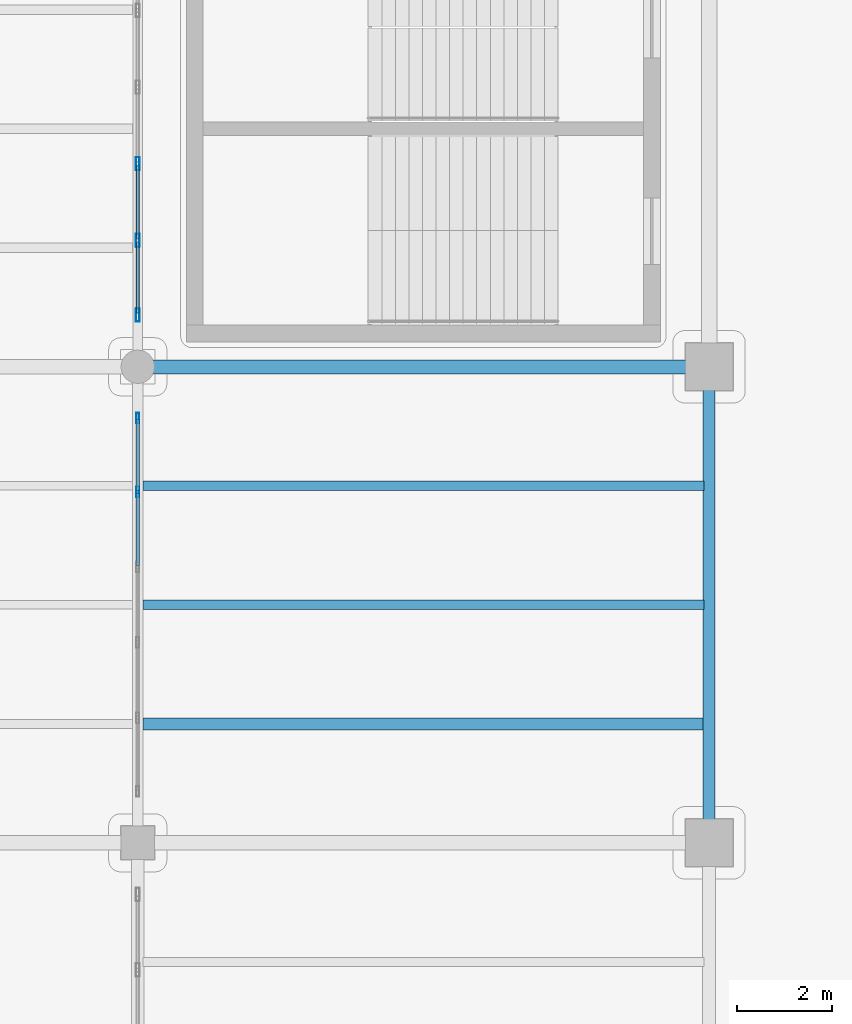
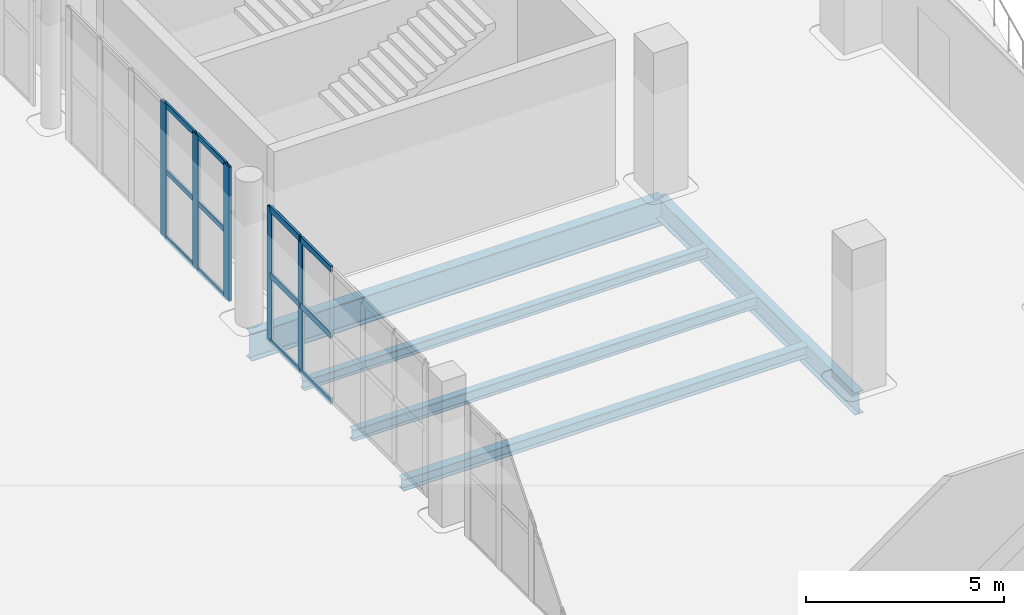
# One storey, part 37 of 108: 17 members, 5 beams, 2 elements without a shape of their own.
"""IFC4 building model written with IfcOpenShell, lengths in metres."""

import ifcopenshell
import ifcopenshell.guid

model = None  # the IFC model being written
_history = None  # IfcOwnerHistory: only IFC2X3 demands one
_inside = {}  # id of a spatial element -> (the spatial element, [elements in it])
_under = {}  # id of a project, library or spatial element -> (it, [spatial elements below it])
_declared = {}  # id of a project -> (the project, [libraries it declares])
_typed = {}  # id of a type object -> (the type object, [elements of that type])
_made_of = {}  # id of a material, layer set ... -> (it, [elements and type objects made of it])


def new_model(schema):
    """Start an empty IFC model of exactly this schema.

    Asked for "IFC4X3", IfcOpenShell would pick the latest addendum, in which some entities
    have other attributes; the version numbers below select the first issue.
    IFC2X3 requires an IfcOwnerHistory on every rooted entity: one is made here for all.
    """
    global model, _history
    if schema == "IFC4X3":
        model = ifcopenshell.file(schema_version=(4, 3, 0, 0))
    else:
        model = ifcopenshell.file(schema=schema)
    _inside.clear()
    _under.clear()
    _declared.clear()
    _typed.clear()
    _made_of.clear()
    _history = None
    if model.schema == "IFC2X3":
        org = make("IfcOrganization", Name="unknown")
        user = make(
            "IfcPersonAndOrganization",
            ThePerson=make("IfcPerson", FamilyName="unknown"),
            TheOrganization=org,
        )
        app = make(
            "IfcApplication",
            ApplicationDeveloper=org,
            Version="unknown",
            ApplicationFullName="unknown",
            ApplicationIdentifier="unknown",
        )
        _history = make(
            "IfcOwnerHistory",
            OwningUser=user,
            OwningApplication=app,
            ChangeAction="ADDED",
            CreationDate=0,
        )
    return model


def make(cls, **values):
    """One entity of the class cls with the attributes given. An attribute that is None is left unset."""
    return model.create_entity(
        cls, **{name: value for name, value in values.items() if value is not None}
    )


def rooted(cls, **values):
    """An entity with a GlobalId (a new one), such as an element, a storey or a relation."""
    return make(cls, GlobalId=ifcopenshell.guid.new(), OwnerHistory=_history, **values)


def si_unit(unit_type, name, prefix=None):
    """IfcSIUnit, for example si_unit("LENGTHUNIT", "METRE", prefix="MILLI")."""
    return make("IfcSIUnit", UnitType=unit_type, Prefix=prefix, Name=name)


def assignment(units):
    """IfcUnitAssignment: the units of a project."""
    return None if units is None else make("IfcUnitAssignment", Units=units)


def point(xyz):
    """IfcCartesianPoint."""
    return None if xyz is None else make("IfcCartesianPoint", Coordinates=xyz)


def direction(xyz):
    """IfcDirection."""
    return None if xyz is None else make("IfcDirection", DirectionRatios=xyz)


def frame(location, z_axis=None, x_axis=None):
    """IfcAxis2Placement3D, a coordinate frame: its origin and axes. An axis left out is left unset."""
    return make(
        "IfcAxis2Placement3D",
        Location=point(location),
        Axis=direction(z_axis),
        RefDirection=direction(x_axis),
    )


def frame_2d(location, x_axis=None):
    """IfcAxis2Placement2D, a coordinate frame in the plane: its origin and x axis."""
    return make(
        "IfcAxis2Placement2D", Location=point(location), RefDirection=direction(x_axis)
    )


def origin():
    """The frame at (0, 0, 0) with its axes left unset."""
    return frame((0.0, 0.0, 0.0))


def origin_2d():
    """The frame at (0, 0) in the plane with its x axis left unset."""
    return frame_2d((0.0, 0.0))


def place(relative_to, where):
    """IfcLocalPlacement: puts the frame where relative to a parent placement (None: the world)."""
    return make(
        "IfcLocalPlacement", PlacementRelTo=relative_to, RelativePlacement=where
    )


def context(
    kind, dimensions, precision=None, world=None, true_north=None, identifier=None
):
    """IfcGeometricRepresentationContext, for example the 3D "Model" context."""
    return make(
        "IfcGeometricRepresentationContext",
        ContextIdentifier=identifier,
        ContextType=kind,
        CoordinateSpaceDimension=dimensions,
        Precision=precision,
        WorldCoordinateSystem=world,
        TrueNorth=true_north,
    )


def subcontext(parent, identifier, kind, view, scale=None):
    """IfcGeometricRepresentationSubContext, for example "Body" below "Model"."""
    return make(
        "IfcGeometricRepresentationSubContext",
        ContextIdentifier=identifier,
        ContextType=kind,
        ParentContext=parent,
        TargetScale=scale,
        TargetView=view,
    )


def project(units=None, contexts=None):
    """IfcProject with its units and contexts."""
    return rooted(
        "IfcProject",
        Name="project",
        RepresentationContexts=contexts,
        UnitsInContext=assignment(units),
    )


def spatial(cls, under=None, at=None, **own):
    """A site, building, storey or space (cls), placed at a placement, below another one or the project."""
    s = rooted(cls, ObjectPlacement=at, **own)
    if under is not None:
        _under.setdefault(under.id(), (under, []))[1].append(s)
    return s


def profile(cls, at=None, kind="AREA", **sizes):
    """A parametric profile (cls). Its sizes go by their IFC names, for example OverallWidth=200.0."""
    return make(cls, ProfileType=kind, Position=at, **sizes)


def hollow_rectangle(**sizes):
    """IfcRectangleHollowProfileDef."""
    return profile("IfcRectangleHollowProfileDef", **sizes)


def i_section(**sizes):
    """IfcIShapeProfileDef."""
    return profile("IfcIShapeProfileDef", **sizes)


def extrude(swept, where, along, depth):
    """IfcExtrudedAreaSolid: the profile swept, set in the frame where, extruded along a direction by depth."""
    return make(
        "IfcExtrudedAreaSolid",
        SweptArea=swept,
        Position=where,
        ExtrudedDirection=direction(along),
        Depth=depth,
    )


def shape(context_of_items, identifier, shape_type, items):
    """IfcShapeRepresentation: the items that make up one representation, for example the "Body"."""
    return make(
        "IfcShapeRepresentation",
        ContextOfItems=context_of_items,
        RepresentationIdentifier=identifier,
        RepresentationType=shape_type,
        Items=items,
    )


def material(Name=None, Category=None):
    """IfcMaterial."""
    return make("IfcMaterial", Name=Name, Category=Category)


def layer(
    of_material, thickness, ventilated=None, Name=None, Category=None, Priority=None
):
    """IfcMaterialLayer: one layer of a wall or slab, of a material (None: an air gap)."""
    return make(
        "IfcMaterialLayer",
        Material=of_material,
        LayerThickness=thickness,
        IsVentilated=ventilated,
        Name=Name,
        Category=Category,
        Priority=Priority,
    )


def layer_set(layers, Name=None):
    """IfcMaterialLayerSet."""
    return make("IfcMaterialLayerSet", MaterialLayers=layers, LayerSetName=Name)


def material_profile(
    of_material, cross_section, Name=None, Category=None, Priority=None
):
    """IfcMaterialProfile: a cross section and its material."""
    return make(
        "IfcMaterialProfile",
        Name=Name,
        Material=of_material,
        Profile=cross_section,
        Priority=Priority,
        Category=Category,
    )


def profile_set(profiles, Name=None, composite=None):
    """IfcMaterialProfileSet."""
    return make(
        "IfcMaterialProfileSet",
        Name=Name,
        MaterialProfiles=profiles,
        CompositeProfile=composite,
    )


def made_of(thing, what):
    """Note that an element or type object is made of a material, layer set ...; save() writes the relation."""
    if what is not None:
        _made_of.setdefault(what.id(), (what, []))[1].append(thing)
    return thing


def type_object(cls, material=None, **own):
    """A type object (cls), such as IfcWallType, which elements share."""
    return made_of(rooted(cls, **own), material)


def element(
    cls,
    number,
    at=None,
    inside=None,
    cuts=None,
    type_object=None,
    material=None,
    context=None,
    identifier="Body",
    shape_type=None,
    held_by="IfcProductDefinitionShape",
    body=None,
    shapes=None,
    **own,
):
    """One element of the class cls, such as IfcWall. Its Tag is "e" and its number.

    at: its placement. inside: the storey or other place that contains it. cuts: it is an
    opening in that element (IfcRelVoidsElement). A single representation is given by context,
    identifier, shape_type and body (its items); several are given by shapes. held_by: the class
    of the entity that holds the representations. save() writes the other relations.
    """
    e = rooted(cls, Tag="e%d" % number, ObjectPlacement=at, **own)
    if body is not None:
        shapes = [shape(context, identifier, shape_type, body)]
    if shapes is not None:
        e.Representation = make(held_by, Representations=shapes)
    if inside is not None:
        _inside.setdefault(inside.id(), (inside, []))[1].append(e)
    if cuts is not None:
        rooted(
            "IfcRelVoidsElement", RelatingBuildingElement=cuts, RelatedOpeningElement=e
        )
    if type_object is not None:
        _typed.setdefault(type_object.id(), (type_object, []))[1].append(e)
    return made_of(e, material)


def aggregate(whole, parts):
    """IfcRelAggregates: a whole, such as a stair, and the parts it consists of."""
    return rooted("IfcRelAggregates", RelatingObject=whole, RelatedObjects=parts)


def save(model, path):
    """Write the relations noted so far, then the file.

    IfcRelAggregates (storeys below a building ...), IfcRelContainedInSpatialStructure (elements
    in a storey), IfcRelDefinesByType, IfcRelAssociatesMaterial and IfcRelDeclares: one each for
    every whole, place, type object, material and project.
    """
    for whole, parts in _under.values():
        aggregate(whole, parts)
    for where, things in _inside.values():
        rooted(
            "IfcRelContainedInSpatialStructure",
            RelatedElements=things,
            RelatingStructure=where,
        )
    for kind, things in _typed.values():
        rooted("IfcRelDefinesByType", RelatedObjects=things, RelatingType=kind)
    for what, things in _made_of.values():
        rooted("IfcRelAssociatesMaterial", RelatedObjects=things, RelatingMaterial=what)
    for by, libraries in _declared.values():
        rooted("IfcRelDeclares", RelatingContext=by, RelatedDefinitions=libraries)
    model.write(path)


model = new_model("IFC4")

# Units and contexts
model_context = context("Model", 3, precision=1e-05, world=origin(), true_north=direction((0.0, 1.0)))
body_context = subcontext(model_context, "Body", "Model", "MODEL_VIEW")
ifc_project = project(units=[si_unit("LENGTHUNIT", "METRE"), si_unit("AREAUNIT", "SQUARE_METRE"), si_unit("VOLUMEUNIT", "CUBIC_METRE"), si_unit("PLANEANGLEUNIT", "RADIAN"), si_unit("MASSUNIT", "GRAM", prefix="KILO")], contexts=[model_context])

# Site, building, storey
site_placement = place(None, origin())
site = spatial("IfcSite", under=ifc_project, at=site_placement, CompositionType="ELEMENT")
building_placement = place(site_placement, origin())
building = spatial("IfcBuilding", under=site, at=building_placement, Name="Brinegate Civic Arena", CompositionType="ELEMENT")
storey_placement = place(building_placement, frame((0.0, 0.0, 10.199951171875)))
storey = spatial("IfcBuildingStorey", under=building, at=storey_placement, Name="L02", CompositionType="ELEMENT", Elevation=10.199951171875)

# Curtain wall, members
ifc_material_1 = material(Name="Marine grade aluminium", Category="aluminium")
ifc_layer = layer(ifc_material_1, 0.199951171875, Name="Marine grade aluminium")
ifc_layer_set = layer_set([ifc_layer], Name="Marine grade aluminium")
curtain_wall_type = type_object("IfcCurtainWallType", Name="CW-BOWL-GLAZED-01", PredefinedType="USERDEFINED", material=ifc_layer_set)
curtain_wall_1_placement = place(storey_placement, origin())
curtain_wall_1 = element("IfcCurtainWall", 1, at=curtain_wall_1_placement, inside=storey, type_object=curtain_wall_type, Name="Curtain Wall CWA-085", ObjectType="GLAZED CURTAIN WALL", PredefinedType="USERDEFINED")
ifc_material_profile_1 = material_profile(ifc_material_1, hollow_rectangle(XDim=0.06494140625, YDim=0.219970703125, WallThickness=0.006103515625, InnerFilletRadius=0.00390625, OuterFilletRadius=0.008056640625, at=origin_2d()), Name="MUL65X220")
ifc_profile_set_1 = profile_set([ifc_material_profile_1], Name="Marine grade aluminium")
member_type_1 = type_object("IfcMemberType", Name="CW-MULLION-65X220", PredefinedType="MULLION", material=ifc_profile_set_1)
member_1_placement = place(storey_placement, frame((48.0, 69.373046875, 0.0), z_axis=(0.0, 0.0, 1.0), x_axis=(-1.0, 0.0, 0.0)))
member_1 = element("IfcMember", 2, at=member_1_placement, type_object=member_type_1, Name="CWA-085 mullion 5", PredefinedType="MULLION", context=body_context, shape_type="SweptSolid", body=[
    extrude(hollow_rectangle(XDim=0.06494140625, YDim=0.219970703125, WallThickness=0.006103515625, InnerFilletRadius=0.00390625, OuterFilletRadius=0.008056640625, at=origin_2d()), origin(), (0.0, 0.0, 1.0), 4.150146484375),
])
member_2_placement = place(storey_placement, frame((48.0, 70.922607421875, 0.0), z_axis=(0.0, 0.0, 1.0), x_axis=(-1.0, 0.0, 0.0)))
member_2 = element("IfcMember", 3, at=member_2_placement, type_object=member_type_1, Name="CWA-085 mullion 6", PredefinedType="MULLION", context=body_context, shape_type="SweptSolid", body=[
    extrude(hollow_rectangle(XDim=0.06494140625, YDim=0.219970703125, WallThickness=0.006103515625, InnerFilletRadius=0.00390625, OuterFilletRadius=0.008056640625, at=origin_2d()), origin(), (0.0, 0.0, 1.0), 4.150146484375),
])

curtain_wall_2_placement = place(storey_placement, origin())
curtain_wall_2 = element("IfcCurtainWall", 4, at=curtain_wall_2_placement, inside=storey, type_object=curtain_wall_type, Name="Curtain Wall CWA-087", ObjectType="GLAZED CURTAIN WALL", PredefinedType="USERDEFINED")
ifc_material_profile_2 = material_profile(ifc_material_1, hollow_rectangle(XDim=0.080078125, YDim=0.280029296875, WallThickness=0.007080078125, InnerFilletRadius=0.0048828125, OuterFilletRadius=0.010009765625, at=origin_2d()), Name="MUL80X280")
ifc_profile_set_2 = profile_set([ifc_material_profile_2], Name="Marine grade aluminium")
member_type_2 = type_object("IfcMemberType", Name="CW-MULLION-80X280", PredefinedType="MULLION", material=ifc_profile_set_2)
member_3_placement = place(storey_placement, frame((48.0, 73.0849609375, 0.0), z_axis=(0.0, 0.0, 1.0), x_axis=(-1.0, 0.0, 0.0)))
member_3 = element("IfcMember", 5, at=member_3_placement, type_object=member_type_2, Name="CWA-087 mullion 1", PredefinedType="MULLION", context=body_context, shape_type="SweptSolid", body=[
    extrude(hollow_rectangle(XDim=0.080078125, YDim=0.280029296875, WallThickness=0.007080078125, InnerFilletRadius=0.0048828125, OuterFilletRadius=0.010009765625, at=origin_2d()), origin(), (0.0, 0.0, 1.0), 4.150146484375),
])
member_4_placement = place(storey_placement, frame((48.0, 74.654296875, 0.0), z_axis=(0.0, 0.0, 1.0), x_axis=(-1.0, 0.0, 0.0)))
member_4 = element("IfcMember", 6, at=member_4_placement, type_object=member_type_2, Name="CWA-087 mullion 2", PredefinedType="MULLION", context=body_context, shape_type="SweptSolid", body=[
    extrude(hollow_rectangle(XDim=0.080078125, YDim=0.280029296875, WallThickness=0.007080078125, InnerFilletRadius=0.0048828125, OuterFilletRadius=0.010009765625, at=origin_2d()), origin(), (0.0, 0.0, 1.0), 4.150146484375),
])
member_5_placement = place(storey_placement, frame((48.0, 76.263427734375, 0.0), z_axis=(0.0, 0.0, 1.0), x_axis=(-1.0, 0.0, 0.0)))
member_5 = element("IfcMember", 7, at=member_5_placement, type_object=member_type_2, Name="CWA-087 mullion 3", PredefinedType="MULLION", context=body_context, shape_type="SweptSolid", body=[
    extrude(hollow_rectangle(XDim=0.080078125, YDim=0.280029296875, WallThickness=0.007080078125, InnerFilletRadius=0.0048828125, OuterFilletRadius=0.010009765625, at=origin_2d()), origin(), (0.0, 0.0, 1.0), 4.150146484375),
])
ifc_material_profile_3 = material_profile(ifc_material_1, hollow_rectangle(XDim=0.06494140625, YDim=0.1650390625, WallThickness=0.0048828125, InnerFilletRadius=0.00390625, OuterFilletRadius=0.008056640625, at=origin_2d()), Name="TRN65X165")
ifc_profile_set_3 = profile_set([ifc_material_profile_3], Name="Marine grade aluminium")
member_type_3 = type_object("IfcMemberType", Name="CW-TRANSOM-65X165", PredefinedType="USERDEFINED", material=ifc_profile_set_3)
member_6_placement = place(storey_placement, frame((48.0, 73.125, 0.032470703125), z_axis=(0.0, 1.0, 0.0), x_axis=(-1.0, 0.0, 0.0)))
member_6 = element("IfcMember", 8, at=member_6_placement, type_object=member_type_3, Name="CWA-087 transom 1.1", ObjectType="TRANSOM", PredefinedType="USERDEFINED", context=body_context, shape_type="SweptSolid", body=[
    extrude(hollow_rectangle(XDim=0.06494140625, YDim=0.1650390625, WallThickness=0.0048828125, InnerFilletRadius=0.00390625, OuterFilletRadius=0.008056640625, at=origin_2d()), origin(), (0.0, 0.0, 1.0), 1.4892578125),
])
member_7_placement = place(storey_placement, frame((48.0, 73.125, 2.074951171875), z_axis=(0.0, 1.0, 0.0), x_axis=(-1.0, 0.0, 0.0)))
member_7 = element("IfcMember", 9, at=member_7_placement, type_object=member_type_3, Name="CWA-087 transom 1.2", ObjectType="TRANSOM", PredefinedType="USERDEFINED", context=body_context, shape_type="SweptSolid", body=[
    extrude(hollow_rectangle(XDim=0.06494140625, YDim=0.1650390625, WallThickness=0.0048828125, InnerFilletRadius=0.00390625, OuterFilletRadius=0.008056640625, at=origin_2d()), origin(), (0.0, 0.0, 1.0), 1.4892578125),
])
member_8_placement = place(storey_placement, frame((48.0, 73.125, 4.117431640625), z_axis=(0.0, 1.0, 0.0), x_axis=(-1.0, 0.0, 0.0)))
member_8 = element("IfcMember", 10, at=member_8_placement, type_object=member_type_3, Name="CWA-087 transom 1.3", ObjectType="TRANSOM", PredefinedType="USERDEFINED", context=body_context, shape_type="SweptSolid", body=[
    extrude(hollow_rectangle(XDim=0.06494140625, YDim=0.1650390625, WallThickness=0.0048828125, InnerFilletRadius=0.00390625, OuterFilletRadius=0.008056640625, at=origin_2d()), origin(), (0.0, 0.0, 1.0), 1.4892578125),
])
member_9_placement = place(storey_placement, frame((48.0, 74.694091796875, 0.032470703125), z_axis=(0.0, 1.0, 0.0), x_axis=(-1.0, 0.0, 0.0)))
member_9 = element("IfcMember", 11, at=member_9_placement, type_object=member_type_3, Name="CWA-087 transom 2.1", ObjectType="TRANSOM", PredefinedType="USERDEFINED", context=body_context, shape_type="SweptSolid", body=[
    extrude(hollow_rectangle(XDim=0.06494140625, YDim=0.1650390625, WallThickness=0.0048828125, InnerFilletRadius=0.00390625, OuterFilletRadius=0.008056640625, at=origin_2d()), origin(), (0.0, 0.0, 1.0), 1.529296875),
])
member_10_placement = place(storey_placement, frame((48.0, 74.694091796875, 2.074951171875), z_axis=(0.0, 1.0, 0.0), x_axis=(-1.0, 0.0, 0.0)))
member_10 = element("IfcMember", 12, at=member_10_placement, type_object=member_type_3, Name="CWA-087 transom 2.2", ObjectType="TRANSOM", PredefinedType="USERDEFINED", context=body_context, shape_type="SweptSolid", body=[
    extrude(hollow_rectangle(XDim=0.06494140625, YDim=0.1650390625, WallThickness=0.0048828125, InnerFilletRadius=0.00390625, OuterFilletRadius=0.008056640625, at=origin_2d()), origin(), (0.0, 0.0, 1.0), 1.529296875),
])
member_11_placement = place(storey_placement, frame((48.0, 74.694091796875, 4.117431640625), z_axis=(0.0, 1.0, 0.0), x_axis=(-1.0, 0.0, 0.0)))
member_11 = element("IfcMember", 13, at=member_11_placement, type_object=member_type_3, Name="CWA-087 transom 2.3", ObjectType="TRANSOM", PredefinedType="USERDEFINED", context=body_context, shape_type="SweptSolid", body=[
    extrude(hollow_rectangle(XDim=0.06494140625, YDim=0.1650390625, WallThickness=0.0048828125, InnerFilletRadius=0.00390625, OuterFilletRadius=0.008056640625, at=origin_2d()), origin(), (0.0, 0.0, 1.0), 1.529296875),
])
aggregate(curtain_wall_2, [member_3, member_4, member_5, member_6, member_7, member_8, member_9, member_10, member_11])

# Member
ifc_material_profile_4 = material_profile(ifc_material_1, hollow_rectangle(XDim=0.074951171875, YDim=0.18994140625, WallThickness=0.006103515625, InnerFilletRadius=0.00390625, OuterFilletRadius=0.008056640625, at=origin_2d()), Name="TRN75X190")
ifc_profile_set_4 = profile_set([ifc_material_profile_4], Name="Marine grade aluminium")
member_type_4 = type_object("IfcMemberType", Name="CW-TRANSOM-75X190", PredefinedType="USERDEFINED", material=ifc_profile_set_4)
member_12_placement = place(storey_placement, frame((48.0, 67.823486328125, 0.03759765625), z_axis=(0.0, 1.0, 0.0), x_axis=(-1.0, 0.0, 0.0)))
member_12 = element("IfcMember", 14, at=member_12_placement, type_object=member_type_4, Name="CWA-085 transom 4.1", ObjectType="TRANSOM", PredefinedType="USERDEFINED", context=body_context, shape_type="SweptSolid", body=[
    extrude(hollow_rectangle(XDim=0.074951171875, YDim=0.18994140625, WallThickness=0.006103515625, InnerFilletRadius=0.00390625, OuterFilletRadius=0.008056640625, at=origin_2d()), origin(), (0.0, 0.0, 1.0), 1.51708984375),
])

member_13_placement = place(storey_placement, frame((48.0, 67.823486328125, 2.074951171875), z_axis=(0.0, 1.0, 0.0), x_axis=(-1.0, 0.0, 0.0)))
member_13 = element("IfcMember", 15, at=member_13_placement, type_object=member_type_4, Name="CWA-085 transom 4.2", ObjectType="TRANSOM", PredefinedType="USERDEFINED", context=body_context, shape_type="SweptSolid", body=[
    extrude(hollow_rectangle(XDim=0.074951171875, YDim=0.18994140625, WallThickness=0.006103515625, InnerFilletRadius=0.00390625, OuterFilletRadius=0.008056640625, at=origin_2d()), origin(), (0.0, 0.0, 1.0), 1.51708984375),
])

member_14_placement = place(storey_placement, frame((48.0, 67.823486328125, 4.112548828125), z_axis=(0.0, 1.0, 0.0), x_axis=(-1.0, 0.0, 0.0)))
member_14 = element("IfcMember", 16, at=member_14_placement, type_object=member_type_4, Name="CWA-085 transom 4.3", ObjectType="TRANSOM", PredefinedType="USERDEFINED", context=body_context, shape_type="SweptSolid", body=[
    extrude(hollow_rectangle(XDim=0.074951171875, YDim=0.18994140625, WallThickness=0.006103515625, InnerFilletRadius=0.00390625, OuterFilletRadius=0.008056640625, at=origin_2d()), origin(), (0.0, 0.0, 1.0), 1.51708984375),
])

member_15_placement = place(storey_placement, frame((48.0, 69.405517578125, 0.03759765625), z_axis=(0.0, 1.0, 0.0), x_axis=(-1.0, 0.0, 0.0)))
member_15 = element("IfcMember", 17, at=member_15_placement, type_object=member_type_4, Name="CWA-085 transom 5.1", ObjectType="TRANSOM", PredefinedType="USERDEFINED", context=body_context, shape_type="SweptSolid", body=[
    extrude(hollow_rectangle(XDim=0.074951171875, YDim=0.18994140625, WallThickness=0.006103515625, InnerFilletRadius=0.00390625, OuterFilletRadius=0.008056640625, at=origin_2d()), origin(), (0.0, 0.0, 1.0), 1.484375),
])

member_16_placement = place(storey_placement, frame((48.0, 69.405517578125, 2.074951171875), z_axis=(0.0, 1.0, 0.0), x_axis=(-1.0, 0.0, 0.0)))
member_16 = element("IfcMember", 18, at=member_16_placement, type_object=member_type_4, Name="CWA-085 transom 5.2", ObjectType="TRANSOM", PredefinedType="USERDEFINED", context=body_context, shape_type="SweptSolid", body=[
    extrude(hollow_rectangle(XDim=0.074951171875, YDim=0.18994140625, WallThickness=0.006103515625, InnerFilletRadius=0.00390625, OuterFilletRadius=0.008056640625, at=origin_2d()), origin(), (0.0, 0.0, 1.0), 1.484375),
])

member_17_placement = place(storey_placement, frame((48.0, 69.405517578125, 4.112548828125), z_axis=(0.0, 1.0, 0.0), x_axis=(-1.0, 0.0, 0.0)))
member_17 = element("IfcMember", 19, at=member_17_placement, type_object=member_type_4, Name="CWA-085 transom 5.3", ObjectType="TRANSOM", PredefinedType="USERDEFINED", context=body_context, shape_type="SweptSolid", body=[
    extrude(hollow_rectangle(XDim=0.074951171875, YDim=0.18994140625, WallThickness=0.006103515625, InnerFilletRadius=0.00390625, OuterFilletRadius=0.008056640625, at=origin_2d()), origin(), (0.0, 0.0, 1.0), 1.484375),
])

aggregate(curtain_wall_1, [member_1, member_2, member_12, member_13, member_14, member_15, member_16, member_17])

# Beams
ifc_material_2 = material(Name="Steel S355", Category="steel")
ifc_material_profile_5 = material_profile(ifc_material_2, i_section(OverallWidth=0.256103515625, OverallDepth=0.693115234375, WebThickness=0.014892578125, FlangeThickness=0.02392578125, FilletRadius=0.01806640625, at=origin_2d()), Name="W690X170")
ifc_profile_set_5 = profile_set([ifc_material_profile_5], Name="Steel S355")
beam_type_1 = type_object("IfcBeamType", Name="GIRDER-W690X170", PredefinedType="BEAM", material=ifc_profile_set_5)
beam_1_placement = place(storey_placement, frame((60.0, 62.0, -0.676025390625), z_axis=(0.0, 1.0, 0.0), x_axis=(-1.0, 0.0, 0.0)))
element("IfcBeam", 20, at=beam_1_placement, inside=storey, type_object=beam_type_1, Name="Floor Girder BM-L02-GY-05-06", PredefinedType="BEAM", context=body_context, shape_type="SweptSolid", body=[
    extrude(i_section(OverallWidth=0.256103515625, OverallDepth=0.693115234375, WebThickness=0.014892578125, FlangeThickness=0.02392578125, FilletRadius=0.01806640625, at=origin_2d()), origin(), (0.0, 0.0, 1.0), 10.0),
])
ifc_material_profile_6 = material_profile(ifc_material_2, i_section(OverallWidth=0.2939453125, OverallDepth=0.85107421875, WebThickness=0.01611328125, FlangeThickness=0.027099609375, FilletRadius=0.02197265625, at=origin_2d()), Name="W840X226")
ifc_profile_set_6 = profile_set([ifc_material_profile_6], Name="Steel S355")
beam_type_2 = type_object("IfcBeamType", Name="GIRDER-W840X226", PredefinedType="BEAM", material=ifc_profile_set_6)
beam_2_placement = place(storey_placement, frame((48.0, 72.0, -0.7548828125), z_axis=(1.0, 0.0, 0.0), x_axis=(0.0, 1.0, 0.0)))
element("IfcBeam", 21, at=beam_2_placement, inside=storey, type_object=beam_type_2, Name="Floor Girder BM-L02-GX-04-07", PredefinedType="BEAM", context=body_context, shape_type="SweptSolid", body=[
    extrude(i_section(OverallWidth=0.2939453125, OverallDepth=0.85107421875, WebThickness=0.01611328125, FlangeThickness=0.027099609375, FilletRadius=0.02197265625, at=origin_2d()), origin(), (0.0, 0.0, 1.0), 12.0),
])
ifc_material_profile_7 = material_profile(ifc_material_2, i_section(OverallWidth=0.205078125, OverallDepth=0.31005859375, WebThickness=0.009033203125, FlangeThickness=0.01611328125, FilletRadius=0.012939453125, at=origin_2d()), Name="W310X74")
ifc_profile_set_7 = profile_set([ifc_material_profile_7], Name="Steel S355")
beam_type_3 = type_object("IfcBeamType", Name="JOIST-W310X74", PredefinedType="JOIST", material=ifc_profile_set_7)
beam_3_placement = place(storey_placement, frame((48.10595703125, 69.5, -0.48486328125), z_axis=(1.0, 0.0, 0.0), x_axis=(0.0, 1.0, 0.0)))
element("IfcBeam", 22, at=beam_3_placement, inside=storey, type_object=beam_type_3, Name="Secondary Joist BM-L02-JX-04-06-3", PredefinedType="JOIST", context=body_context, shape_type="SweptSolid", body=[
    extrude(i_section(OverallWidth=0.205078125, OverallDepth=0.31005859375, WebThickness=0.009033203125, FlangeThickness=0.01611328125, FilletRadius=0.012939453125, at=origin_2d()), origin(), (0.0, 0.0, 1.0), 11.7880859375),
])
ifc_material_profile_8 = material_profile(ifc_material_2, i_section(OverallWidth=0.205078125, OverallDepth=0.35400390625, WebThickness=0.009033203125, FlangeThickness=0.01708984375, FilletRadius=0.013916015625, at=origin_2d()), Name="W360X79")
ifc_profile_set_8 = profile_set([ifc_material_profile_8], Name="Steel S355")
beam_type_4 = type_object("IfcBeamType", Name="JOIST-W360X79", PredefinedType="JOIST", material=ifc_profile_set_8)
beam_4_placement = place(storey_placement, frame((48.10595703125, 67.0, -0.5068359375), z_axis=(1.0, 0.0, 0.0), x_axis=(0.0, 1.0, 0.0)))
element("IfcBeam", 23, at=beam_4_placement, inside=storey, type_object=beam_type_4, Name="Secondary Joist BM-L02-JX-04-06-2", PredefinedType="JOIST", context=body_context, shape_type="SweptSolid", body=[
    extrude(i_section(OverallWidth=0.205078125, OverallDepth=0.35400390625, WebThickness=0.009033203125, FlangeThickness=0.01708984375, FilletRadius=0.013916015625, at=origin_2d()), origin(), (0.0, 0.0, 1.0), 11.7880859375),
])
ifc_material_profile_9 = material_profile(ifc_material_2, i_section(OverallWidth=0.25390625, OverallDepth=0.35302734375, WebThickness=0.010009765625, FlangeThickness=0.01611328125, FilletRadius=0.013916015625, at=origin_2d()), Name="W360X91")
ifc_profile_set_9 = profile_set([ifc_material_profile_9], Name="Steel S355")
beam_type_5 = type_object("IfcBeamType", Name="JOIST-W360X91", PredefinedType="JOIST", material=ifc_profile_set_9)
beam_5_placement = place(storey_placement, frame((48.10595703125, 64.5, -0.505859375), z_axis=(1.0, 0.0, 0.0), x_axis=(0.0, 1.0, 0.0)))
element("IfcBeam", 24, at=beam_5_placement, inside=storey, type_object=beam_type_5, Name="Secondary Joist BM-L02-JX-04-06-1", PredefinedType="JOIST", context=body_context, shape_type="SweptSolid", body=[
    extrude(i_section(OverallWidth=0.25390625, OverallDepth=0.35302734375, WebThickness=0.010009765625, FlangeThickness=0.01611328125, FilletRadius=0.013916015625, at=origin_2d()), origin(), (0.0, 0.0, 1.0), 11.7880859375),
])

save(model, "model.ifc")
